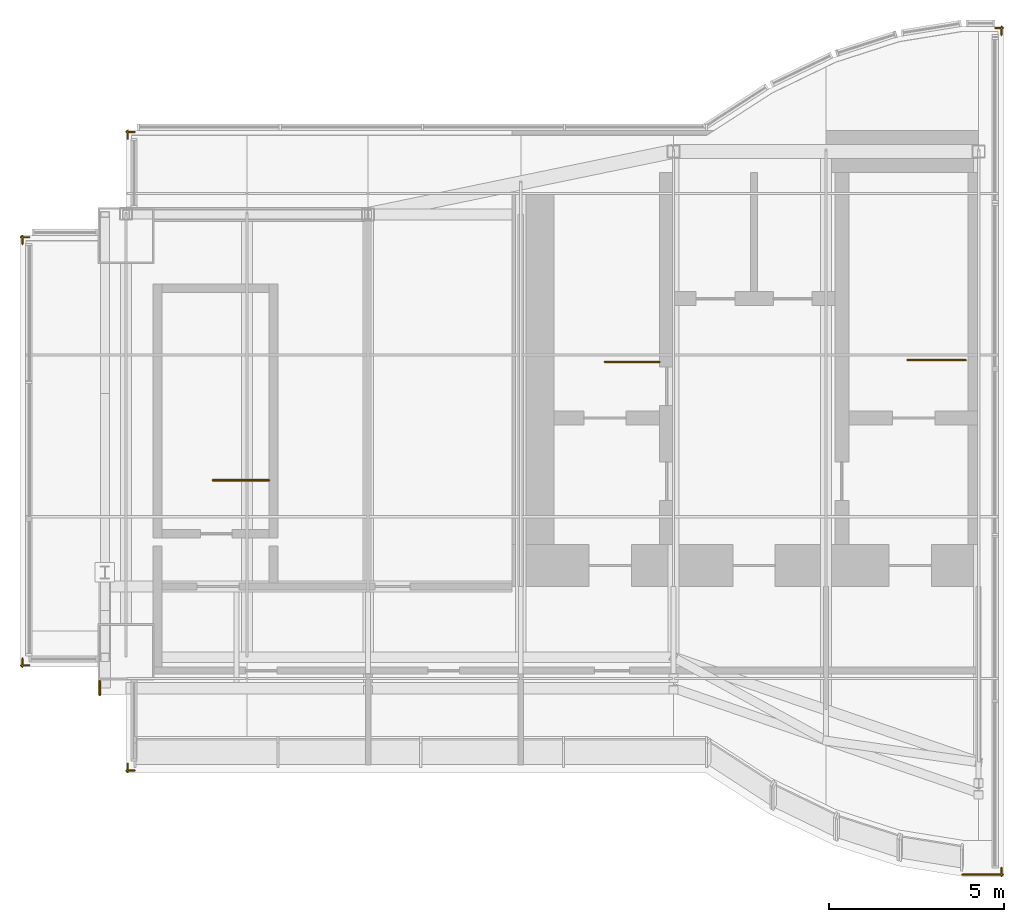
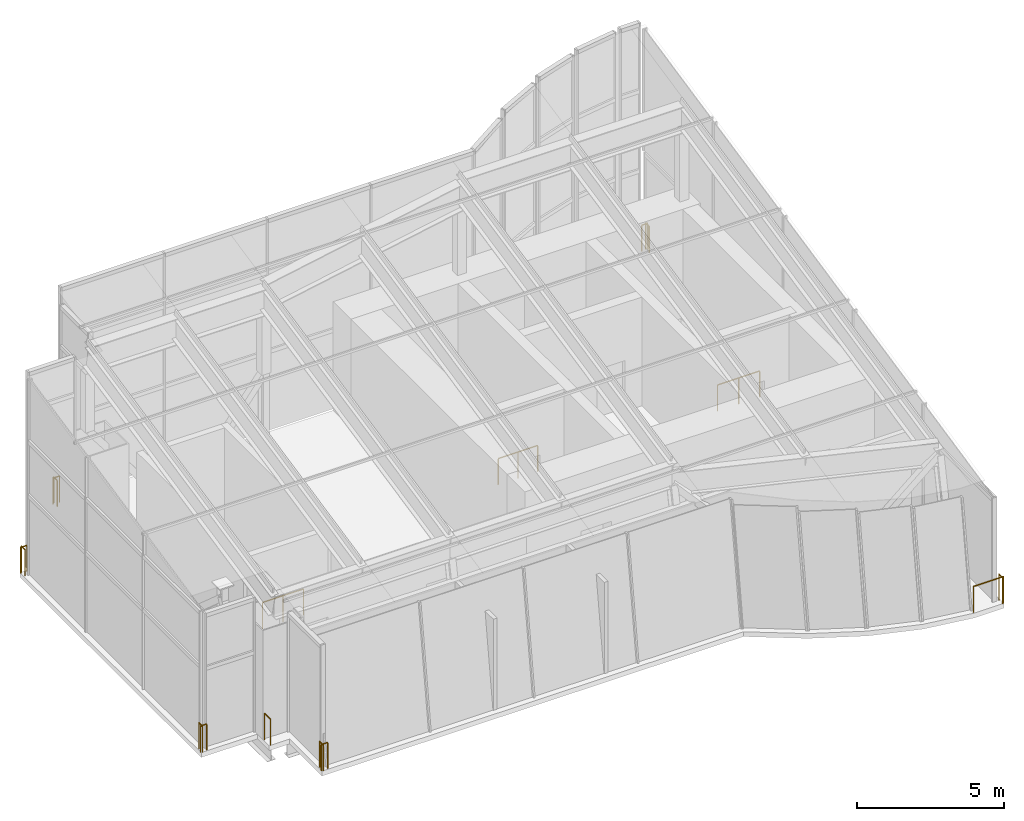
# One storey, part 8 of 8: 10 railings.
"""IFC4 building model written with IfcOpenShell, lengths in metres."""

import ifcopenshell
import ifcopenshell.guid

model = None  # the IFC model being written
_history = None  # IfcOwnerHistory: only IFC2X3 demands one
_inside = {}  # id of a spatial element -> (the spatial element, [elements in it])
_under = {}  # id of a project, library or spatial element -> (it, [spatial elements below it])
_declared = {}  # id of a project -> (the project, [libraries it declares])
_typed = {}  # id of a type object -> (the type object, [elements of that type])
_made_of = {}  # id of a material, layer set ... -> (it, [elements and type objects made of it])


def new_model(schema):
    """Start an empty IFC model of exactly this schema.

    Asked for "IFC4X3", IfcOpenShell would pick the latest addendum, in which some entities
    have other attributes; the version numbers below select the first issue.
    IFC2X3 requires an IfcOwnerHistory on every rooted entity: one is made here for all.
    """
    global model, _history
    if schema == "IFC4X3":
        model = ifcopenshell.file(schema_version=(4, 3, 0, 0))
    else:
        model = ifcopenshell.file(schema=schema)
    _inside.clear()
    _under.clear()
    _declared.clear()
    _typed.clear()
    _made_of.clear()
    _history = None
    if model.schema == "IFC2X3":
        org = make("IfcOrganization", Name="unknown")
        user = make(
            "IfcPersonAndOrganization",
            ThePerson=make("IfcPerson", FamilyName="unknown"),
            TheOrganization=org,
        )
        app = make(
            "IfcApplication",
            ApplicationDeveloper=org,
            Version="unknown",
            ApplicationFullName="unknown",
            ApplicationIdentifier="unknown",
        )
        _history = make(
            "IfcOwnerHistory",
            OwningUser=user,
            OwningApplication=app,
            ChangeAction="ADDED",
            CreationDate=0,
        )
    return model


def make(cls, **values):
    """One entity of the class cls with the attributes given. An attribute that is None is left unset."""
    return model.create_entity(
        cls, **{name: value for name, value in values.items() if value is not None}
    )


def rooted(cls, **values):
    """An entity with a GlobalId (a new one), such as an element, a storey or a relation."""
    return make(cls, GlobalId=ifcopenshell.guid.new(), OwnerHistory=_history, **values)


def si_unit(unit_type, name, prefix=None):
    """IfcSIUnit, for example si_unit("LENGTHUNIT", "METRE", prefix="MILLI")."""
    return make("IfcSIUnit", UnitType=unit_type, Prefix=prefix, Name=name)


def assignment(units):
    """IfcUnitAssignment: the units of a project."""
    return None if units is None else make("IfcUnitAssignment", Units=units)


def point(xyz):
    """IfcCartesianPoint."""
    return None if xyz is None else make("IfcCartesianPoint", Coordinates=xyz)


def direction(xyz):
    """IfcDirection."""
    return None if xyz is None else make("IfcDirection", DirectionRatios=xyz)


def frame(location, z_axis=None, x_axis=None):
    """IfcAxis2Placement3D, a coordinate frame: its origin and axes. An axis left out is left unset."""
    return make(
        "IfcAxis2Placement3D",
        Location=point(location),
        Axis=direction(z_axis),
        RefDirection=direction(x_axis),
    )


def frame_2d(location, x_axis=None):
    """IfcAxis2Placement2D, a coordinate frame in the plane: its origin and x axis."""
    return make(
        "IfcAxis2Placement2D", Location=point(location), RefDirection=direction(x_axis)
    )


def origin():
    """The frame at (0, 0, 0) with its axes left unset."""
    return frame((0.0, 0.0, 0.0))


def origin_2d():
    """The frame at (0, 0) in the plane with its x axis left unset."""
    return frame_2d((0.0, 0.0))


def place(relative_to, where):
    """IfcLocalPlacement: puts the frame where relative to a parent placement (None: the world)."""
    return make(
        "IfcLocalPlacement", PlacementRelTo=relative_to, RelativePlacement=where
    )


def context(
    kind, dimensions, precision=None, world=None, true_north=None, identifier=None
):
    """IfcGeometricRepresentationContext, for example the 3D "Model" context."""
    return make(
        "IfcGeometricRepresentationContext",
        ContextIdentifier=identifier,
        ContextType=kind,
        CoordinateSpaceDimension=dimensions,
        Precision=precision,
        WorldCoordinateSystem=world,
        TrueNorth=true_north,
    )


def subcontext(parent, identifier, kind, view, scale=None):
    """IfcGeometricRepresentationSubContext, for example "Body" below "Model"."""
    return make(
        "IfcGeometricRepresentationSubContext",
        ContextIdentifier=identifier,
        ContextType=kind,
        ParentContext=parent,
        TargetScale=scale,
        TargetView=view,
    )


def project(units=None, contexts=None):
    """IfcProject with its units and contexts."""
    return rooted(
        "IfcProject",
        Name="project",
        RepresentationContexts=contexts,
        UnitsInContext=assignment(units),
    )


def spatial(cls, under=None, at=None, **own):
    """A site, building, storey or space (cls), placed at a placement, below another one or the project."""
    s = rooted(cls, ObjectPlacement=at, **own)
    if under is not None:
        _under.setdefault(under.id(), (under, []))[1].append(s)
    return s


def profile(cls, at=None, kind="AREA", **sizes):
    """A parametric profile (cls). Its sizes go by their IFC names, for example OverallWidth=200.0."""
    return make(cls, ProfileType=kind, Position=at, **sizes)


def circle(**sizes):
    """IfcCircleProfileDef."""
    return profile("IfcCircleProfileDef", **sizes)


def extrude(swept, where, along, depth):
    """IfcExtrudedAreaSolid: the profile swept, set in the frame where, extruded along a direction by depth."""
    return make(
        "IfcExtrudedAreaSolid",
        SweptArea=swept,
        Position=where,
        ExtrudedDirection=direction(along),
        Depth=depth,
    )


def shape(context_of_items, identifier, shape_type, items):
    """IfcShapeRepresentation: the items that make up one representation, for example the "Body"."""
    return make(
        "IfcShapeRepresentation",
        ContextOfItems=context_of_items,
        RepresentationIdentifier=identifier,
        RepresentationType=shape_type,
        Items=items,
    )


def material(Name=None, Category=None):
    """IfcMaterial."""
    return make("IfcMaterial", Name=Name, Category=Category)


def made_of(thing, what):
    """Note that an element or type object is made of a material, layer set ...; save() writes the relation."""
    if what is not None:
        _made_of.setdefault(what.id(), (what, []))[1].append(thing)
    return thing


def type_object(cls, material=None, **own):
    """A type object (cls), such as IfcWallType, which elements share."""
    return made_of(rooted(cls, **own), material)


def element(
    cls,
    number,
    at=None,
    inside=None,
    cuts=None,
    type_object=None,
    material=None,
    context=None,
    identifier="Body",
    shape_type=None,
    held_by="IfcProductDefinitionShape",
    body=None,
    shapes=None,
    **own,
):
    """One element of the class cls, such as IfcWall. Its Tag is "e" and its number.

    at: its placement. inside: the storey or other place that contains it. cuts: it is an
    opening in that element (IfcRelVoidsElement). A single representation is given by context,
    identifier, shape_type and body (its items); several are given by shapes. held_by: the class
    of the entity that holds the representations. save() writes the other relations.
    """
    e = rooted(cls, Tag="e%d" % number, ObjectPlacement=at, **own)
    if body is not None:
        shapes = [shape(context, identifier, shape_type, body)]
    if shapes is not None:
        e.Representation = make(held_by, Representations=shapes)
    if inside is not None:
        _inside.setdefault(inside.id(), (inside, []))[1].append(e)
    if cuts is not None:
        rooted(
            "IfcRelVoidsElement", RelatingBuildingElement=cuts, RelatedOpeningElement=e
        )
    if type_object is not None:
        _typed.setdefault(type_object.id(), (type_object, []))[1].append(e)
    return made_of(e, material)


def aggregate(whole, parts):
    """IfcRelAggregates: a whole, such as a stair, and the parts it consists of."""
    return rooted("IfcRelAggregates", RelatingObject=whole, RelatedObjects=parts)


def save(model, path):
    """Write the relations noted so far, then the file.

    IfcRelAggregates (storeys below a building ...), IfcRelContainedInSpatialStructure (elements
    in a storey), IfcRelDefinesByType, IfcRelAssociatesMaterial and IfcRelDeclares: one each for
    every whole, place, type object, material and project.
    """
    for whole, parts in _under.values():
        aggregate(whole, parts)
    for where, things in _inside.values():
        rooted(
            "IfcRelContainedInSpatialStructure",
            RelatedElements=things,
            RelatingStructure=where,
        )
    for kind, things in _typed.values():
        rooted("IfcRelDefinesByType", RelatedObjects=things, RelatingType=kind)
    for what, things in _made_of.values():
        rooted("IfcRelAssociatesMaterial", RelatedObjects=things, RelatingMaterial=what)
    for by, libraries in _declared.values():
        rooted("IfcRelDeclares", RelatingContext=by, RelatedDefinitions=libraries)
    model.write(path)


model = new_model("IFC4")

# Units and contexts
model_context = context("Model", 3, precision=1e-05, world=origin(), true_north=direction((0.0, 1.0)))
body_context = subcontext(model_context, "Body", "Model", "MODEL_VIEW")
ifc_project = project(units=[si_unit("LENGTHUNIT", "METRE"), si_unit("AREAUNIT", "SQUARE_METRE"), si_unit("VOLUMEUNIT", "CUBIC_METRE"), si_unit("PLANEANGLEUNIT", "RADIAN"), si_unit("MASSUNIT", "GRAM", prefix="KILO")], contexts=[model_context])

# Site, building, storey
site_placement = place(None, origin())
site = spatial("IfcSite", under=ifc_project, at=site_placement, CompositionType="ELEMENT")
building_placement = place(site_placement, origin())
building = spatial("IfcBuilding", under=site, at=building_placement, Name="Bicima Exchange Tower", CompositionType="ELEMENT")
storey_placement = place(building_placement, frame((0.0, 0.0, 379.39990234375)))
storey = spatial("IfcBuildingStorey", under=building, at=storey_placement, Name="L85", CompositionType="ELEMENT", Elevation=379.39990234375)

# Railings
ifc_material_1 = material(Name="Stainless steel and bonded safety glass", Category="steel")
railing_type_1 = type_object("IfcRailingType", Name="Edge guard 1100", PredefinedType="GUARDRAIL", material=ifc_material_1)
railing_1_placement = place(storey_placement, frame((-35.756103515625, -15.2470703125, 0.0)))
element("IfcRailing", 1, at=railing_1_placement, inside=storey, type_object=railing_type_1, Name="Edge guard L85 473", PredefinedType="GUARDRAIL", context=body_context, shape_type="SweptSolid", body=[
    extrude(circle(Radius=0.02392578125, at=origin_2d()), frame((0.0, 0.0, 1.076171875), z_axis=(-1.0, 0.0, 0.0), x_axis=(0.0, -1.0, 0.0)), (0.0, 0.0, 1.0), 0.243896484375),
    extrude(circle(Radius=0.02392578125, at=origin_2d()), frame((-0.243896484375, 0.0, 1.076171875), z_axis=(0.707106781187, -0.707106781187, 0.0), x_axis=(0.707106781187, 0.707106781187, 0.0)), (0.0, 0.0, 1.0), 0.07080078125),
    extrude(circle(Radius=0.02392578125, at=origin_2d()), frame((-0.19384765625, -0.050048828125, 1.076171875), z_axis=(0.0, 1.0, 0.0), x_axis=(-1.0, 0.0, 0.0)), (0.0, 0.0, 1.0), 0.24609375),
    extrude(circle(Radius=0.02099609375, at=origin_2d()), origin(), (0.0, 0.0, 1.0), 1.052001953125),
    extrude(circle(Radius=0.02099609375, at=origin_2d()), frame((-0.243896484375, 0.0, 0.0)), (0.0, 0.0, 1.0), 1.052001953125),
    extrude(circle(Radius=0.02099609375, at=origin_2d()), frame((-0.19384765625, -0.050048828125, 0.0)), (0.0, 0.0, 1.0), 1.052001953125),
    extrude(circle(Radius=0.02099609375, at=origin_2d()), frame((-0.19384765625, 0.196044921875, 0.0)), (0.0, 0.0, 1.0), 1.052001953125),
])
railing_2_placement = place(storey_placement, frame((-35.949951171875, -3.24609375, 0.0)))
element("IfcRailing", 2, at=railing_2_placement, inside=storey, type_object=railing_type_1, Name="Edge guard L85 474", PredefinedType="GUARDRAIL", context=body_context, shape_type="SweptSolid", body=[
    extrude(circle(Radius=0.02392578125, at=origin_2d()), frame((0.0, 0.0, 1.076171875), z_axis=(0.0, 1.0, 0.0), x_axis=(-1.0, 0.0, 0.0)), (0.0, 0.0, 1.0), 0.24609375),
    extrude(circle(Radius=0.02392578125, at=origin_2d()), frame((0.0, 0.24609375, 1.076171875), z_axis=(-0.707106781187, -0.707106781187, 0.0), x_axis=(0.707106781187, -0.707106781187, 0.0)), (0.0, 0.0, 1.0), 0.07080078125),
    extrude(circle(Radius=0.02392578125, at=origin_2d()), frame((-0.050048828125, 0.196044921875, 1.076171875), z_axis=(1.0, 0.0, 0.0), x_axis=(0.0, 1.0, 0.0)), (0.0, 0.0, 1.0), 0.243896484375),
    extrude(circle(Radius=0.02099609375, at=origin_2d()), origin(), (0.0, 0.0, 1.0), 1.052001953125),
    extrude(circle(Radius=0.02099609375, at=origin_2d()), frame((0.0, 0.24609375, 0.0)), (0.0, 0.0, 1.0), 1.052001953125),
    extrude(circle(Radius=0.02099609375, at=origin_2d()), frame((-0.050048828125, 0.196044921875, 0.0)), (0.0, 0.0, 1.0), 1.052001953125),
    extrude(circle(Radius=0.02099609375, at=origin_2d()), frame((0.19384765625, 0.196044921875, 0.0)), (0.0, 0.0, 1.0), 1.052001953125),
])
railing_3_placement = place(storey_placement, frame((-32.949951171875, -0.243896484375, 0.0)))
element("IfcRailing", 3, at=railing_3_placement, inside=storey, type_object=railing_type_1, Name="Edge guard L85 475", PredefinedType="GUARDRAIL", context=body_context, shape_type="SweptSolid", body=[
    extrude(circle(Radius=0.02392578125, at=origin_2d()), frame((0.0, 0.0, 1.076171875), z_axis=(0.0, 1.0, 0.0), x_axis=(-1.0, 0.0, 0.0)), (0.0, 0.0, 1.0), 0.243896484375),
    extrude(circle(Radius=0.02392578125, at=origin_2d()), frame((0.0, 0.243896484375, 1.076171875), z_axis=(-0.707106781187, -0.707106781187, 0.0), x_axis=(0.707106781187, -0.707106781187, 0.0)), (0.0, 0.0, 1.0), 0.07080078125),
    extrude(circle(Radius=0.02392578125, at=origin_2d()), frame((-0.050048828125, 0.19384765625, 1.076171875), z_axis=(1.0, 0.0, 0.0), x_axis=(0.0, 1.0, 0.0)), (0.0, 0.0, 1.0), 0.25),
    extrude(circle(Radius=0.02099609375, at=origin_2d()), origin(), (0.0, 0.0, 1.0), 1.052001953125),
    extrude(circle(Radius=0.02099609375, at=origin_2d()), frame((0.0, 0.243896484375, 0.0)), (0.0, 0.0, 1.0), 1.052001953125),
    extrude(circle(Radius=0.02099609375, at=origin_2d()), frame((-0.050048828125, 0.19384765625, 0.0)), (0.0, 0.0, 1.0), 1.052001953125),
    extrude(circle(Radius=0.02099609375, at=origin_2d()), frame((0.199951171875, 0.19384765625, 0.0)), (0.0, 0.0, 1.0), 1.052001953125),
])
railing_4_placement = place(storey_placement, frame((-8.23291015625, 2.9130859375, 0.0)))
element("IfcRailing", 4, at=railing_4_placement, inside=storey, type_object=railing_type_1, Name="Edge guard L85 476", PredefinedType="GUARDRAIL", context=body_context, shape_type="SweptSolid", body=[
    extrude(circle(Radius=0.02392578125, at=origin_2d()), frame((0.0, 0.0, 1.076171875), z_axis=(1.0, 0.0, 0.0), x_axis=(0.0, 1.0, 0.0)), (0.0, 0.0, 1.0), 0.23291015625),
    extrude(circle(Radius=0.02392578125, at=origin_2d()), frame((0.23291015625, 0.0, 1.076171875), z_axis=(-0.708833529934, 0.705375805398, 0.0), x_axis=(-0.705375805398, -0.708833529934, 0.0)), (0.0, 0.0, 1.0), 0.070556640625),
    extrude(circle(Radius=0.02392578125, at=origin_2d()), frame((0.182861328125, 0.0498046875, 1.076171875), z_axis=(0.0, -1.0, 0.0), x_axis=(1.0, 0.0, 0.0)), (0.0, 0.0, 1.0), 0.25),
    extrude(circle(Radius=0.02099609375, at=origin_2d()), origin(), (0.0, 0.0, 1.0), 1.052001953125),
    extrude(circle(Radius=0.02099609375, at=origin_2d()), frame((0.23291015625, 0.0, 0.0)), (0.0, 0.0, 1.0), 1.052001953125),
    extrude(circle(Radius=0.02099609375, at=origin_2d()), frame((0.182861328125, 0.0498046875, 0.0)), (0.0, 0.0, 1.0), 1.052001953125),
    extrude(circle(Radius=0.02099609375, at=origin_2d()), frame((0.182861328125, -0.2001953125, 0.0)), (0.0, 0.0, 1.0), 1.052001953125),
])
railing_5_placement = place(storey_placement, frame((-8.050048828125, -21.010009765625, 0.0)))
element("IfcRailing", 5, at=railing_5_placement, inside=storey, type_object=railing_type_1, Name="Edge guard L85 477", PredefinedType="GUARDRAIL", context=body_context, shape_type="SweptSolid", body=[
    extrude(circle(Radius=0.02392578125, at=origin_2d()), frame((0.0, 0.0, 1.076171875), z_axis=(0.0, -1.0, 0.0), x_axis=(1.0, 0.0, 0.0)), (0.0, 0.0, 1.0), 0.25),
    extrude(circle(Radius=0.02392578125, at=origin_2d()), frame((0.0, -0.25, 1.076171875), z_axis=(0.707106781187, 0.707106781187, 0.0), x_axis=(-0.707106781187, 0.707106781187, 0.0)), (0.0, 0.0, 1.0), 0.07080078125),
    extrude(circle(Radius=0.02392578125, at=origin_2d()), frame((0.050048828125, -0.199951171875, 1.076171875), z_axis=(-1.0, 0.0, 0.0), x_axis=(0.0, -1.0, 0.0)), (0.0, 0.0, 1.0), 1.1669921875),
    extrude(circle(Radius=0.02099609375, at=origin_2d()), origin(), (0.0, 0.0, 1.0), 1.052001953125),
    extrude(circle(Radius=0.02099609375, at=origin_2d()), frame((0.0, -0.25, 0.0)), (0.0, 0.0, 1.0), 1.052001953125),
    extrude(circle(Radius=0.02099609375, at=origin_2d()), frame((0.050048828125, -0.199951171875, 0.0)), (0.0, 0.0, 1.0), 1.052001953125),
    extrude(circle(Radius=0.02099609375, at=origin_2d()), frame((-1.116943359375, -0.199951171875, 0.0)), (0.0, 0.0, 1.0), 1.052001953125),
])
railing_6_placement = place(storey_placement, frame((-32.75, -18.2470703125, 0.0)))
element("IfcRailing", 6, at=railing_6_placement, inside=storey, type_object=railing_type_1, Name="Edge guard L85 478", PredefinedType="GUARDRAIL", context=body_context, shape_type="SweptSolid", body=[
    extrude(circle(Radius=0.02392578125, at=origin_2d()), frame((0.0, 0.0, 1.076171875), z_axis=(-1.0, 0.0, 0.0), x_axis=(0.0, -1.0, 0.0)), (0.0, 0.0, 1.0), 0.25),
    extrude(circle(Radius=0.02392578125, at=origin_2d()), frame((-0.25, 0.0, 1.076171875), z_axis=(0.707106781187, -0.707106781187, 0.0), x_axis=(0.707106781187, 0.707106781187, 0.0)), (0.0, 0.0, 1.0), 0.07080078125),
    extrude(circle(Radius=0.02392578125, at=origin_2d()), frame((-0.199951171875, -0.050048828125, 1.076171875), z_axis=(0.0, 1.0, 0.0), x_axis=(-1.0, 0.0, 0.0)), (0.0, 0.0, 1.0), 0.244140625),
    extrude(circle(Radius=0.02099609375, at=origin_2d()), origin(), (0.0, 0.0, 1.0), 1.052001953125),
    extrude(circle(Radius=0.02099609375, at=origin_2d()), frame((-0.25, 0.0, 0.0)), (0.0, 0.0, 1.0), 1.052001953125),
    extrude(circle(Radius=0.02099609375, at=origin_2d()), frame((-0.199951171875, -0.050048828125, 0.0)), (0.0, 0.0, 1.0), 1.052001953125),
    extrude(circle(Radius=0.02099609375, at=origin_2d()), frame((-0.199951171875, 0.194091796875, 0.0)), (0.0, 0.0, 1.0), 1.052001953125),
])
railing_7_placement = place(storey_placement, frame((-33.75, -16.096923828125, 0.0)))
element("IfcRailing", 7, at=railing_7_placement, inside=storey, type_object=railing_type_1, Name="Edge guard L85 479", PredefinedType="GUARDRAIL", context=body_context, shape_type="SweptSolid", body=[
    extrude(circle(Radius=0.02392578125, at=origin_2d()), frame((0.0, 0.0, 1.076171875), z_axis=(0.0, 1.0, 0.0), x_axis=(-1.0, 0.0, 0.0)), (0.0, 0.0, 1.0), 0.39990234375),
    extrude(circle(Radius=0.02099609375, at=origin_2d()), origin(), (0.0, 0.0, 1.0), 1.052001953125),
    extrude(circle(Radius=0.02099609375, at=origin_2d()), frame((0.0, 0.39990234375, 0.0)), (0.0, 0.0, 1.0), 1.052001953125),
])
ifc_material_2 = material(Name="Stainless steel", Category="steel")
railing_type_2 = type_object("IfcRailingType", Name="Stair guard 1100", PredefinedType="GUARDRAIL", material=ifc_material_2)
railing_8_placement = place(storey_placement, frame((-17.800048828125, -6.60009765625, 0.0)))
element("IfcRailing", 8, at=railing_8_placement, inside=storey, type_object=railing_type_2, Name="L85 ST-W top well guard 1", PredefinedType="GUARDRAIL", context=body_context, shape_type="SweptSolid", body=[
    extrude(circle(Radius=0.02392578125, at=origin_2d()), frame((0.0, 0.0, 1.076171875), z_axis=(-1.0, 0.0, 0.0), x_axis=(0.0, -1.0, 0.0)), (0.0, 0.0, 1.0), 1.550048828125),
    extrude(circle(Radius=0.02099609375, at=origin_2d()), origin(), (0.0, 0.0, 1.0), 1.052001953125),
    extrude(circle(Radius=0.02099609375, at=origin_2d()), frame((-0.77490234375, 0.0, 0.0)), (0.0, 0.0, 1.0), 1.052001953125),
    extrude(circle(Radius=0.02099609375, at=origin_2d()), frame((-1.550048828125, 0.0, 0.0)), (0.0, 0.0, 1.0), 1.052001953125),
])
railing_9_placement = place(storey_placement, frame((-9.074951171875, -6.550048828125, 0.0)))
element("IfcRailing", 9, at=railing_9_placement, inside=storey, type_object=railing_type_2, Name="L85 ST-CR top well guard 1", PredefinedType="GUARDRAIL", context=body_context, shape_type="SweptSolid", body=[
    extrude(circle(Radius=0.02392578125, at=origin_2d()), frame((0.0, 0.0, 1.076171875), z_axis=(-1.0, 0.0, 0.0), x_axis=(0.0, -1.0, 0.0)), (0.0, 0.0, 1.0), 1.650146484375),
    extrude(circle(Radius=0.02099609375, at=origin_2d()), origin(), (0.0, 0.0, 1.0), 1.052001953125),
    extrude(circle(Radius=0.02099609375, at=origin_2d()), frame((-0.8251953125, 0.0, 0.0)), (0.0, 0.0, 1.0), 1.052001953125),
    extrude(circle(Radius=0.02099609375, at=origin_2d()), frame((-1.650146484375, 0.0, 0.0)), (0.0, 0.0, 1.0), 1.052001953125),
])
railing_10_placement = place(storey_placement, frame((-28.925048828125, -9.97509765625, 0.0)))
element("IfcRailing", 10, at=railing_10_placement, inside=storey, type_object=railing_type_2, Name="L85 ST-WW top well guard 1", PredefinedType="GUARDRAIL", context=body_context, shape_type="SweptSolid", body=[
    extrude(circle(Radius=0.02392578125, at=origin_2d()), frame((0.0, 0.0, 1.076171875), z_axis=(-1.0, 0.0, 0.0), x_axis=(0.0, -1.0, 0.0)), (0.0, 0.0, 1.0), 1.599853515625),
    extrude(circle(Radius=0.02099609375, at=origin_2d()), origin(), (0.0, 0.0, 1.0), 1.052001953125),
    extrude(circle(Radius=0.02099609375, at=origin_2d()), frame((-0.7998046875, 0.0, 0.0)), (0.0, 0.0, 1.0), 1.052001953125),
    extrude(circle(Radius=0.02099609375, at=origin_2d()), frame((-1.599853515625, 0.0, 0.0)), (0.0, 0.0, 1.0), 1.052001953125),
])

save(model, "model.ifc")
